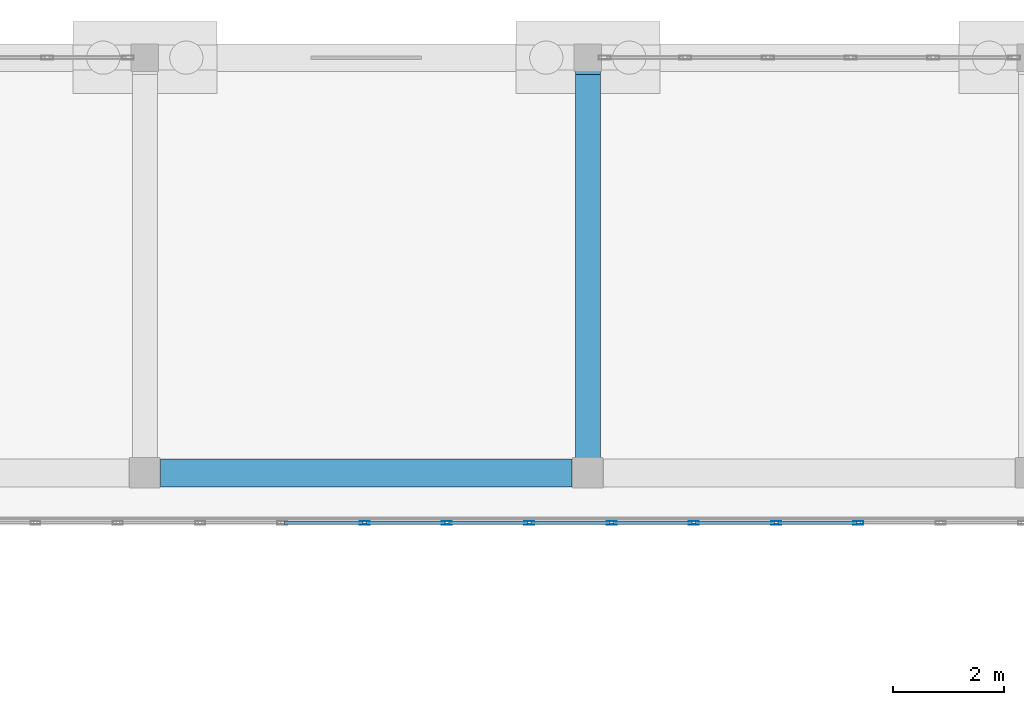
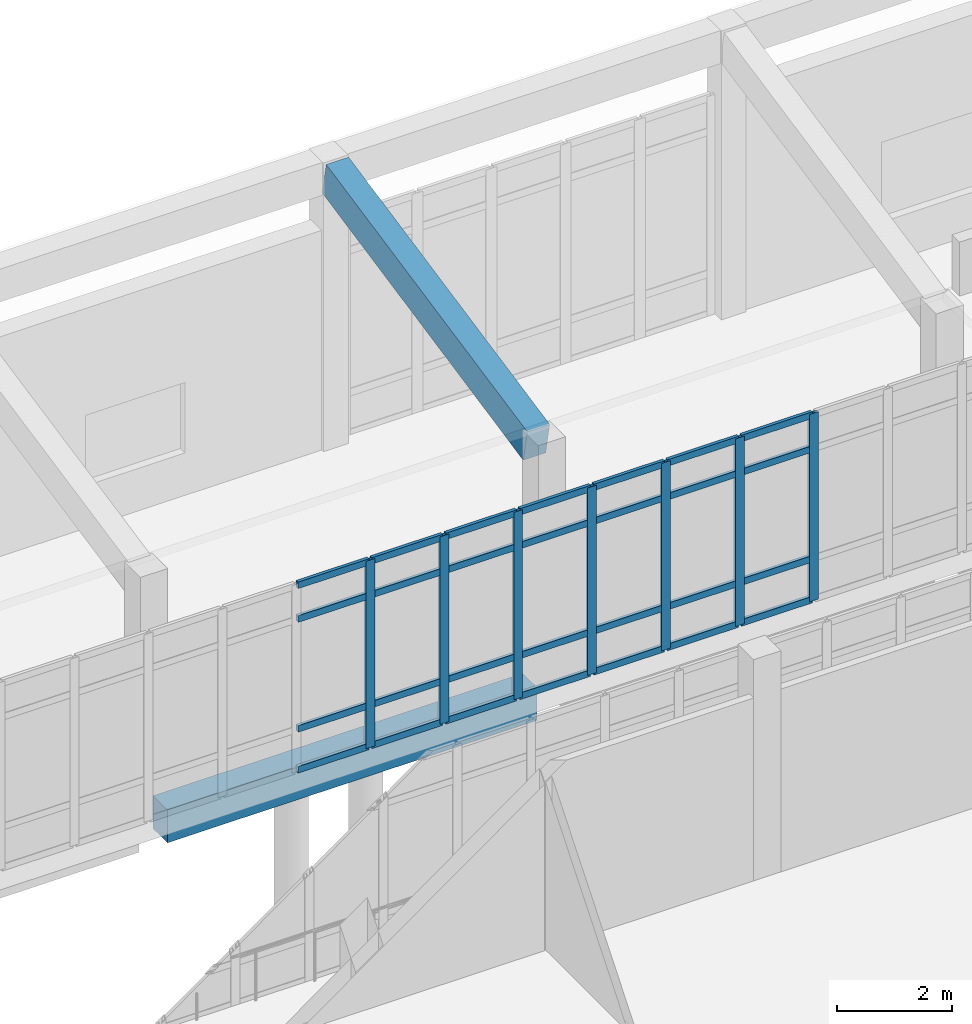
# One storey, part 117 of 173: 35 members, 2 beams, 1 element without a shape of its own.
"""IFC4 building model written with IfcOpenShell, lengths in metres."""

from ifc_helpers import new_model, si_unit, direction, frame, origin, origin_2d, place, context, subcontext, project, spatial, rectangle, hollow_rectangle, extrude, material, layer, layer_set, material_profile, profile_set, type_object, element, aggregate, save


model = new_model("IFC4")

# Units and contexts
model_context = context("Model", 3, precision=1e-05, world=origin(), true_north=direction((0.0, 1.0)))
body_context = subcontext(model_context, "Body", "Model", "MODEL_VIEW")
ifc_project = project(units=[si_unit("LENGTHUNIT", "METRE"), si_unit("AREAUNIT", "SQUARE_METRE"), si_unit("VOLUMEUNIT", "CUBIC_METRE"), si_unit("PLANEANGLEUNIT", "RADIAN"), si_unit("MASSUNIT", "GRAM", prefix="KILO")], contexts=[model_context])

# Site, building, storey
site_placement = place(None, origin())
site = spatial("IfcSite", under=ifc_project, at=site_placement, CompositionType="ELEMENT")
building_placement = place(site_placement, origin())
building = spatial("IfcBuilding", under=site, at=building_placement, Name="Mawjan Specialist Oncology Clinic", CompositionType="ELEMENT")
storey_placement = place(building_placement, origin())
storey = spatial("IfcBuildingStorey", under=building, at=storey_placement, Name="L00", CompositionType="ELEMENT", Elevation=0.0)

# Beam
ifc_material_1 = material(Name="Concrete C40/50", Category="concrete")
ifc_material_profile_1 = material_profile(ifc_material_1, rectangle(XDim=0.449951171875, YDim=0.699951171875, at=origin_2d()), Name="RC BM 450x700", Category="concrete")
ifc_profile_set_1 = profile_set([ifc_material_profile_1], Name="Concrete C40/50")
beam_type_1 = type_object("IfcBeamType", Name="BM-450x700", PredefinedType="BEAM", material=ifc_profile_set_1)
beam_1_placement = place(storey_placement, frame((132.0, 106.06005859375, 4.35009765625), z_axis=(0.0, 0.979626475295, 0.200828207434), x_axis=(-1.0, 0.0, 0.0)))
element("IfcBeam", 1, at=beam_1_placement, inside=storey, type_object=beam_type_1, Name="L00 Roof Framing Beam BM-RF-L00-1274", PredefinedType="BEAM", context=body_context, shape_type="SweptSolid", body=[
    extrude(rectangle(XDim=0.449951171875, YDim=0.699951171875, at=origin_2d()), origin(), (0.0, 0.0, 1.0), 7.150634765625),
])

# Curtain wall, members
ifc_material_2 = material(Name="Unitised spectrally selective aluminium curtain wall", Category="aluminium")
ifc_layer = layer(ifc_material_2, 0.179931640625, Name="Unitised spectrally selective aluminium curtain wall", Category="aluminium")
ifc_layer_set = layer_set([ifc_layer], Name="Unitised spectrally selective aluminium curtain wall")
curtain_wall_type = type_object("IfcCurtainWallType", Name="CW-33", PredefinedType="NOTDEFINED", material=ifc_layer_set)
curtain_wall_placement = place(storey_placement, origin())
curtain_wall = element("IfcCurtainWall", 2, at=curtain_wall_placement, inside=storey, type_object=curtain_wall_type, Name="L00 Unitised Curtain Wall CW-L00-072", PredefinedType="NOTDEFINED")
ifc_material_3 = material(Name="Thermally broken aluminium 6063-T6", Category="aluminium")
ifc_material_profile_2 = material_profile(ifc_material_3, hollow_rectangle(XDim=0.06494140625, YDim=0.179931640625, WallThickness=0.00390625, at=origin_2d()), Name="ALU MULLION 180x65x4", Category="aluminium")
ifc_profile_set_2 = profile_set([ifc_material_profile_2], Name="Thermally broken aluminium 6063-T6")
member_type_1 = type_object("IfcMemberType", Name="CW-M180", PredefinedType="MULLION", material=ifc_profile_set_2)
member_1_placement = place(storey_placement, frame((136.887451171875, 104.89990234375, 0.0), z_axis=(0.0, 0.0, 1.0), x_axis=(0.0, -1.0, 0.0)))
member_1 = element("IfcMember", 3, at=member_1_placement, type_object=member_type_1, Name="CW-33 mullion 8", PredefinedType="MULLION", context=body_context, shape_type="SweptSolid", body=[
    extrude(hollow_rectangle(XDim=0.06494140625, YDim=0.179931640625, WallThickness=0.00390625, at=origin_2d()), origin(), (0.0, 0.0, 1.0), 3.985107421875),
])
member_2_placement = place(storey_placement, frame((135.4013671875, 104.89990234375, 0.0), z_axis=(0.0, 0.0, 1.0), x_axis=(0.0, -1.0, 0.0)))
member_2 = element("IfcMember", 4, at=member_2_placement, type_object=member_type_1, Name="CW-33 mullion 9", PredefinedType="MULLION", context=body_context, shape_type="SweptSolid", body=[
    extrude(hollow_rectangle(XDim=0.06494140625, YDim=0.179931640625, WallThickness=0.00390625, at=origin_2d()), origin(), (0.0, 0.0, 1.0), 3.985107421875),
])
member_3_placement = place(storey_placement, frame((133.915283203125, 104.89990234375, 0.0), z_axis=(0.0, 0.0, 1.0), x_axis=(0.0, -1.0, 0.0)))
member_3 = element("IfcMember", 5, at=member_3_placement, type_object=member_type_1, Name="CW-33 mullion 10", PredefinedType="MULLION", context=body_context, shape_type="SweptSolid", body=[
    extrude(hollow_rectangle(XDim=0.06494140625, YDim=0.179931640625, WallThickness=0.00390625, at=origin_2d()), origin(), (0.0, 0.0, 1.0), 3.985107421875),
])
member_4_placement = place(storey_placement, frame((132.42919921875, 104.89990234375, 0.0), z_axis=(0.0, 0.0, 1.0), x_axis=(0.0, -1.0, 0.0)))
member_4 = element("IfcMember", 6, at=member_4_placement, type_object=member_type_1, Name="CW-33 mullion 11", PredefinedType="MULLION", context=body_context, shape_type="SweptSolid", body=[
    extrude(hollow_rectangle(XDim=0.06494140625, YDim=0.179931640625, WallThickness=0.00390625, at=origin_2d()), origin(), (0.0, 0.0, 1.0), 3.985107421875),
])
member_5_placement = place(storey_placement, frame((130.943115234375, 104.89990234375, 0.0), z_axis=(0.0, 0.0, 1.0), x_axis=(0.0, -1.0, 0.0)))
member_5 = element("IfcMember", 7, at=member_5_placement, type_object=member_type_1, Name="CW-33 mullion 12", PredefinedType="MULLION", context=body_context, shape_type="SweptSolid", body=[
    extrude(hollow_rectangle(XDim=0.06494140625, YDim=0.179931640625, WallThickness=0.00390625, at=origin_2d()), origin(), (0.0, 0.0, 1.0), 3.985107421875),
])
member_6_placement = place(storey_placement, frame((129.45703125, 104.89990234375, 0.0), z_axis=(0.0, 0.0, 1.0), x_axis=(0.0, -1.0, 0.0)))
member_6 = element("IfcMember", 8, at=member_6_placement, type_object=member_type_1, Name="CW-33 mullion 13", PredefinedType="MULLION", context=body_context, shape_type="SweptSolid", body=[
    extrude(hollow_rectangle(XDim=0.06494140625, YDim=0.179931640625, WallThickness=0.00390625, at=origin_2d()), origin(), (0.0, 0.0, 1.0), 3.985107421875),
])
member_7_placement = place(storey_placement, frame((127.970947265625, 104.89990234375, 0.0), z_axis=(0.0, 0.0, 1.0), x_axis=(0.0, -1.0, 0.0)))
member_7 = element("IfcMember", 9, at=member_7_placement, type_object=member_type_1, Name="CW-33 mullion 14", PredefinedType="MULLION", context=body_context, shape_type="SweptSolid", body=[
    extrude(hollow_rectangle(XDim=0.06494140625, YDim=0.179931640625, WallThickness=0.00390625, at=origin_2d()), origin(), (0.0, 0.0, 1.0), 3.985107421875),
])
ifc_material_4 = material(Name="Thermally broken aluminium 6063-T6", Category="aluminium")
ifc_material_profile_3 = material_profile(ifc_material_4, hollow_rectangle(XDim=0.06494140625, YDim=0.139892578125, WallThickness=0.00390625, at=origin_2d()), Name="ALU TRANSOM 140x65x4", Category="aluminium")
ifc_profile_set_3 = profile_set([ifc_material_profile_3], Name="Thermally broken aluminium 6063-T6")
member_type_2 = type_object("IfcMemberType", Name="CW-T140", PredefinedType="USERDEFINED", material=ifc_profile_set_3)
member_8_placement = place(storey_placement, frame((136.85498046875, 104.89990234375, 0.032470703125), z_axis=(-1.0, 0.0, 0.0), x_axis=(0.0, -1.0, 0.0)))
member_8 = element("IfcMember", 10, at=member_8_placement, type_object=member_type_2, Name="CW-33 transom 8.1", ObjectType="TRANSOM", PredefinedType="USERDEFINED", context=body_context, shape_type="SweptSolid", body=[
    extrude(hollow_rectangle(XDim=0.06494140625, YDim=0.139892578125, WallThickness=0.00390625, at=origin_2d()), origin(), (0.0, 0.0, 1.0), 1.421142578125),
])
member_9_placement = place(storey_placement, frame((136.85498046875, 104.89990234375, 0.89990234375), z_axis=(-1.0, 0.0, 0.0), x_axis=(0.0, -1.0, 0.0)))
member_9 = element("IfcMember", 11, at=member_9_placement, type_object=member_type_2, Name="CW-33 transom 8.2", ObjectType="TRANSOM", PredefinedType="USERDEFINED", context=body_context, shape_type="SweptSolid", body=[
    extrude(hollow_rectangle(XDim=0.06494140625, YDim=0.139892578125, WallThickness=0.00390625, at=origin_2d()), origin(), (0.0, 0.0, 1.0), 1.421142578125),
])
member_10_placement = place(storey_placement, frame((136.85498046875, 104.89990234375, 3.235107421875), z_axis=(-1.0, 0.0, 0.0), x_axis=(0.0, -1.0, 0.0)))
member_10 = element("IfcMember", 12, at=member_10_placement, type_object=member_type_2, Name="CW-33 transom 8.3", ObjectType="TRANSOM", PredefinedType="USERDEFINED", context=body_context, shape_type="SweptSolid", body=[
    extrude(hollow_rectangle(XDim=0.06494140625, YDim=0.139892578125, WallThickness=0.00390625, at=origin_2d()), origin(), (0.0, 0.0, 1.0), 1.421142578125),
])
member_11_placement = place(storey_placement, frame((136.85498046875, 104.89990234375, 3.952392578125), z_axis=(-1.0, 0.0, 0.0), x_axis=(0.0, -1.0, 0.0)))
member_11 = element("IfcMember", 13, at=member_11_placement, type_object=member_type_2, Name="CW-33 transom 8.4", ObjectType="TRANSOM", PredefinedType="USERDEFINED", context=body_context, shape_type="SweptSolid", body=[
    extrude(hollow_rectangle(XDim=0.06494140625, YDim=0.139892578125, WallThickness=0.00390625, at=origin_2d()), origin(), (0.0, 0.0, 1.0), 1.421142578125),
])
member_12_placement = place(storey_placement, frame((135.368896484375, 104.89990234375, 0.032470703125), z_axis=(-1.0, 0.0, 0.0), x_axis=(0.0, -1.0, 0.0)))
member_12 = element("IfcMember", 14, at=member_12_placement, type_object=member_type_2, Name="CW-33 transom 9.1", ObjectType="TRANSOM", PredefinedType="USERDEFINED", context=body_context, shape_type="SweptSolid", body=[
    extrude(hollow_rectangle(XDim=0.06494140625, YDim=0.139892578125, WallThickness=0.00390625, at=origin_2d()), origin(), (0.0, 0.0, 1.0), 1.421142578125),
])
member_13_placement = place(storey_placement, frame((135.368896484375, 104.89990234375, 0.89990234375), z_axis=(-1.0, 0.0, 0.0), x_axis=(0.0, -1.0, 0.0)))
member_13 = element("IfcMember", 15, at=member_13_placement, type_object=member_type_2, Name="CW-33 transom 9.2", ObjectType="TRANSOM", PredefinedType="USERDEFINED", context=body_context, shape_type="SweptSolid", body=[
    extrude(hollow_rectangle(XDim=0.06494140625, YDim=0.139892578125, WallThickness=0.00390625, at=origin_2d()), origin(), (0.0, 0.0, 1.0), 1.421142578125),
])
member_14_placement = place(storey_placement, frame((135.368896484375, 104.89990234375, 3.235107421875), z_axis=(-1.0, 0.0, 0.0), x_axis=(0.0, -1.0, 0.0)))
member_14 = element("IfcMember", 16, at=member_14_placement, type_object=member_type_2, Name="CW-33 transom 9.3", ObjectType="TRANSOM", PredefinedType="USERDEFINED", context=body_context, shape_type="SweptSolid", body=[
    extrude(hollow_rectangle(XDim=0.06494140625, YDim=0.139892578125, WallThickness=0.00390625, at=origin_2d()), origin(), (0.0, 0.0, 1.0), 1.421142578125),
])
member_15_placement = place(storey_placement, frame((135.368896484375, 104.89990234375, 3.952392578125), z_axis=(-1.0, 0.0, 0.0), x_axis=(0.0, -1.0, 0.0)))
member_15 = element("IfcMember", 17, at=member_15_placement, type_object=member_type_2, Name="CW-33 transom 9.4", ObjectType="TRANSOM", PredefinedType="USERDEFINED", context=body_context, shape_type="SweptSolid", body=[
    extrude(hollow_rectangle(XDim=0.06494140625, YDim=0.139892578125, WallThickness=0.00390625, at=origin_2d()), origin(), (0.0, 0.0, 1.0), 1.421142578125),
])
member_16_placement = place(storey_placement, frame((133.8828125, 104.89990234375, 0.032470703125), z_axis=(-1.0, 0.0, 0.0), x_axis=(0.0, -1.0, 0.0)))
member_16 = element("IfcMember", 18, at=member_16_placement, type_object=member_type_2, Name="CW-33 transom 10.1", ObjectType="TRANSOM", PredefinedType="USERDEFINED", context=body_context, shape_type="SweptSolid", body=[
    extrude(hollow_rectangle(XDim=0.06494140625, YDim=0.139892578125, WallThickness=0.00390625, at=origin_2d()), origin(), (0.0, 0.0, 1.0), 1.421142578125),
])
member_17_placement = place(storey_placement, frame((133.8828125, 104.89990234375, 0.89990234375), z_axis=(-1.0, 0.0, 0.0), x_axis=(0.0, -1.0, 0.0)))
member_17 = element("IfcMember", 19, at=member_17_placement, type_object=member_type_2, Name="CW-33 transom 10.2", ObjectType="TRANSOM", PredefinedType="USERDEFINED", context=body_context, shape_type="SweptSolid", body=[
    extrude(hollow_rectangle(XDim=0.06494140625, YDim=0.139892578125, WallThickness=0.00390625, at=origin_2d()), origin(), (0.0, 0.0, 1.0), 1.421142578125),
])
member_18_placement = place(storey_placement, frame((133.8828125, 104.89990234375, 3.235107421875), z_axis=(-1.0, 0.0, 0.0), x_axis=(0.0, -1.0, 0.0)))
member_18 = element("IfcMember", 20, at=member_18_placement, type_object=member_type_2, Name="CW-33 transom 10.3", ObjectType="TRANSOM", PredefinedType="USERDEFINED", context=body_context, shape_type="SweptSolid", body=[
    extrude(hollow_rectangle(XDim=0.06494140625, YDim=0.139892578125, WallThickness=0.00390625, at=origin_2d()), origin(), (0.0, 0.0, 1.0), 1.421142578125),
])
member_19_placement = place(storey_placement, frame((133.8828125, 104.89990234375, 3.952392578125), z_axis=(-1.0, 0.0, 0.0), x_axis=(0.0, -1.0, 0.0)))
member_19 = element("IfcMember", 21, at=member_19_placement, type_object=member_type_2, Name="CW-33 transom 10.4", ObjectType="TRANSOM", PredefinedType="USERDEFINED", context=body_context, shape_type="SweptSolid", body=[
    extrude(hollow_rectangle(XDim=0.06494140625, YDim=0.139892578125, WallThickness=0.00390625, at=origin_2d()), origin(), (0.0, 0.0, 1.0), 1.421142578125),
])
member_20_placement = place(storey_placement, frame((132.396728515625, 104.89990234375, 0.032470703125), z_axis=(-1.0, 0.0, 0.0), x_axis=(0.0, -1.0, 0.0)))
member_20 = element("IfcMember", 22, at=member_20_placement, type_object=member_type_2, Name="CW-33 transom 11.1", ObjectType="TRANSOM", PredefinedType="USERDEFINED", context=body_context, shape_type="SweptSolid", body=[
    extrude(hollow_rectangle(XDim=0.06494140625, YDim=0.139892578125, WallThickness=0.00390625, at=origin_2d()), origin(), (0.0, 0.0, 1.0), 1.421142578125),
])
member_21_placement = place(storey_placement, frame((132.396728515625, 104.89990234375, 0.89990234375), z_axis=(-1.0, 0.0, 0.0), x_axis=(0.0, -1.0, 0.0)))
member_21 = element("IfcMember", 23, at=member_21_placement, type_object=member_type_2, Name="CW-33 transom 11.2", ObjectType="TRANSOM", PredefinedType="USERDEFINED", context=body_context, shape_type="SweptSolid", body=[
    extrude(hollow_rectangle(XDim=0.06494140625, YDim=0.139892578125, WallThickness=0.00390625, at=origin_2d()), origin(), (0.0, 0.0, 1.0), 1.421142578125),
])
member_22_placement = place(storey_placement, frame((132.396728515625, 104.89990234375, 3.235107421875), z_axis=(-1.0, 0.0, 0.0), x_axis=(0.0, -1.0, 0.0)))
member_22 = element("IfcMember", 24, at=member_22_placement, type_object=member_type_2, Name="CW-33 transom 11.3", ObjectType="TRANSOM", PredefinedType="USERDEFINED", context=body_context, shape_type="SweptSolid", body=[
    extrude(hollow_rectangle(XDim=0.06494140625, YDim=0.139892578125, WallThickness=0.00390625, at=origin_2d()), origin(), (0.0, 0.0, 1.0), 1.421142578125),
])
member_23_placement = place(storey_placement, frame((132.396728515625, 104.89990234375, 3.952392578125), z_axis=(-1.0, 0.0, 0.0), x_axis=(0.0, -1.0, 0.0)))
member_23 = element("IfcMember", 25, at=member_23_placement, type_object=member_type_2, Name="CW-33 transom 11.4", ObjectType="TRANSOM", PredefinedType="USERDEFINED", context=body_context, shape_type="SweptSolid", body=[
    extrude(hollow_rectangle(XDim=0.06494140625, YDim=0.139892578125, WallThickness=0.00390625, at=origin_2d()), origin(), (0.0, 0.0, 1.0), 1.421142578125),
])
member_24_placement = place(storey_placement, frame((130.91064453125, 104.89990234375, 0.032470703125), z_axis=(-1.0, 0.0, 0.0), x_axis=(0.0, -1.0, 0.0)))
member_24 = element("IfcMember", 26, at=member_24_placement, type_object=member_type_2, Name="CW-33 transom 12.1", ObjectType="TRANSOM", PredefinedType="USERDEFINED", context=body_context, shape_type="SweptSolid", body=[
    extrude(hollow_rectangle(XDim=0.06494140625, YDim=0.139892578125, WallThickness=0.00390625, at=origin_2d()), origin(), (0.0, 0.0, 1.0), 1.421142578125),
])
member_25_placement = place(storey_placement, frame((130.91064453125, 104.89990234375, 0.89990234375), z_axis=(-1.0, 0.0, 0.0), x_axis=(0.0, -1.0, 0.0)))
member_25 = element("IfcMember", 27, at=member_25_placement, type_object=member_type_2, Name="CW-33 transom 12.2", ObjectType="TRANSOM", PredefinedType="USERDEFINED", context=body_context, shape_type="SweptSolid", body=[
    extrude(hollow_rectangle(XDim=0.06494140625, YDim=0.139892578125, WallThickness=0.00390625, at=origin_2d()), origin(), (0.0, 0.0, 1.0), 1.421142578125),
])
member_26_placement = place(storey_placement, frame((130.91064453125, 104.89990234375, 3.235107421875), z_axis=(-1.0, 0.0, 0.0), x_axis=(0.0, -1.0, 0.0)))
member_26 = element("IfcMember", 28, at=member_26_placement, type_object=member_type_2, Name="CW-33 transom 12.3", ObjectType="TRANSOM", PredefinedType="USERDEFINED", context=body_context, shape_type="SweptSolid", body=[
    extrude(hollow_rectangle(XDim=0.06494140625, YDim=0.139892578125, WallThickness=0.00390625, at=origin_2d()), origin(), (0.0, 0.0, 1.0), 1.421142578125),
])
member_27_placement = place(storey_placement, frame((130.91064453125, 104.89990234375, 3.952392578125), z_axis=(-1.0, 0.0, 0.0), x_axis=(0.0, -1.0, 0.0)))
member_27 = element("IfcMember", 29, at=member_27_placement, type_object=member_type_2, Name="CW-33 transom 12.4", ObjectType="TRANSOM", PredefinedType="USERDEFINED", context=body_context, shape_type="SweptSolid", body=[
    extrude(hollow_rectangle(XDim=0.06494140625, YDim=0.139892578125, WallThickness=0.00390625, at=origin_2d()), origin(), (0.0, 0.0, 1.0), 1.421142578125),
])
member_28_placement = place(storey_placement, frame((129.424560546875, 104.89990234375, 0.032470703125), z_axis=(-1.0, 0.0, 0.0), x_axis=(0.0, -1.0, 0.0)))
member_28 = element("IfcMember", 30, at=member_28_placement, type_object=member_type_2, Name="CW-33 transom 13.1", ObjectType="TRANSOM", PredefinedType="USERDEFINED", context=body_context, shape_type="SweptSolid", body=[
    extrude(hollow_rectangle(XDim=0.06494140625, YDim=0.139892578125, WallThickness=0.00390625, at=origin_2d()), origin(), (0.0, 0.0, 1.0), 1.421142578125),
])
member_29_placement = place(storey_placement, frame((129.424560546875, 104.89990234375, 0.89990234375), z_axis=(-1.0, 0.0, 0.0), x_axis=(0.0, -1.0, 0.0)))
member_29 = element("IfcMember", 31, at=member_29_placement, type_object=member_type_2, Name="CW-33 transom 13.2", ObjectType="TRANSOM", PredefinedType="USERDEFINED", context=body_context, shape_type="SweptSolid", body=[
    extrude(hollow_rectangle(XDim=0.06494140625, YDim=0.139892578125, WallThickness=0.00390625, at=origin_2d()), origin(), (0.0, 0.0, 1.0), 1.421142578125),
])
member_30_placement = place(storey_placement, frame((129.424560546875, 104.89990234375, 3.235107421875), z_axis=(-1.0, 0.0, 0.0), x_axis=(0.0, -1.0, 0.0)))
member_30 = element("IfcMember", 32, at=member_30_placement, type_object=member_type_2, Name="CW-33 transom 13.3", ObjectType="TRANSOM", PredefinedType="USERDEFINED", context=body_context, shape_type="SweptSolid", body=[
    extrude(hollow_rectangle(XDim=0.06494140625, YDim=0.139892578125, WallThickness=0.00390625, at=origin_2d()), origin(), (0.0, 0.0, 1.0), 1.421142578125),
])
member_31_placement = place(storey_placement, frame((129.424560546875, 104.89990234375, 3.952392578125), z_axis=(-1.0, 0.0, 0.0), x_axis=(0.0, -1.0, 0.0)))
member_31 = element("IfcMember", 33, at=member_31_placement, type_object=member_type_2, Name="CW-33 transom 13.4", ObjectType="TRANSOM", PredefinedType="USERDEFINED", context=body_context, shape_type="SweptSolid", body=[
    extrude(hollow_rectangle(XDim=0.06494140625, YDim=0.139892578125, WallThickness=0.00390625, at=origin_2d()), origin(), (0.0, 0.0, 1.0), 1.421142578125),
])
member_32_placement = place(storey_placement, frame((127.9384765625, 104.89990234375, 0.032470703125), z_axis=(-1.0, 0.0, 0.0), x_axis=(0.0, -1.0, 0.0)))
member_32 = element("IfcMember", 34, at=member_32_placement, type_object=member_type_2, Name="CW-33 transom 14.1", ObjectType="TRANSOM", PredefinedType="USERDEFINED", context=body_context, shape_type="SweptSolid", body=[
    extrude(hollow_rectangle(XDim=0.06494140625, YDim=0.139892578125, WallThickness=0.00390625, at=origin_2d()), origin(), (0.0, 0.0, 1.0), 1.421142578125),
])
member_33_placement = place(storey_placement, frame((127.9384765625, 104.89990234375, 0.89990234375), z_axis=(-1.0, 0.0, 0.0), x_axis=(0.0, -1.0, 0.0)))
member_33 = element("IfcMember", 35, at=member_33_placement, type_object=member_type_2, Name="CW-33 transom 14.2", ObjectType="TRANSOM", PredefinedType="USERDEFINED", context=body_context, shape_type="SweptSolid", body=[
    extrude(hollow_rectangle(XDim=0.06494140625, YDim=0.139892578125, WallThickness=0.00390625, at=origin_2d()), origin(), (0.0, 0.0, 1.0), 1.421142578125),
])
member_34_placement = place(storey_placement, frame((127.9384765625, 104.89990234375, 3.235107421875), z_axis=(-1.0, 0.0, 0.0), x_axis=(0.0, -1.0, 0.0)))
member_34 = element("IfcMember", 36, at=member_34_placement, type_object=member_type_2, Name="CW-33 transom 14.3", ObjectType="TRANSOM", PredefinedType="USERDEFINED", context=body_context, shape_type="SweptSolid", body=[
    extrude(hollow_rectangle(XDim=0.06494140625, YDim=0.139892578125, WallThickness=0.00390625, at=origin_2d()), origin(), (0.0, 0.0, 1.0), 1.421142578125),
])
member_35_placement = place(storey_placement, frame((127.9384765625, 104.89990234375, 3.952392578125), z_axis=(-1.0, 0.0, 0.0), x_axis=(0.0, -1.0, 0.0)))
member_35 = element("IfcMember", 37, at=member_35_placement, type_object=member_type_2, Name="CW-33 transom 14.4", ObjectType="TRANSOM", PredefinedType="USERDEFINED", context=body_context, shape_type="SweptSolid", body=[
    extrude(hollow_rectangle(XDim=0.06494140625, YDim=0.139892578125, WallThickness=0.00390625, at=origin_2d()), origin(), (0.0, 0.0, 1.0), 1.421142578125),
])
aggregate(curtain_wall, [member_1, member_2, member_3, member_4, member_5, member_6, member_7, member_8, member_9, member_10, member_11, member_12, member_13, member_14, member_15, member_16, member_17, member_18, member_19, member_20, member_21, member_22, member_23, member_24, member_25, member_26, member_27, member_28, member_29, member_30, member_31, member_32, member_33, member_34, member_35])

# Beam
ifc_material_5 = material(Name="Concrete C45/55", Category="concrete")
ifc_material_profile_4 = material_profile(ifc_material_5, rectangle(XDim=0.5, YDim=0.699951171875, at=origin_2d()), Name="RC BM 500x700", Category="concrete")
ifc_profile_set_4 = profile_set([ifc_material_profile_4], Name="Concrete C45/55")
beam_type_2 = type_object("IfcBeamType", Name="SP-500x700", PredefinedType="SPANDREL", material=ifc_profile_set_4)
beam_2_placement = place(storey_placement, frame((124.284912109375, 105.800048828125, -0.800048828125), z_axis=(1.0, 0.0, 0.0), x_axis=(0.0, 1.0, 0.0)))
element("IfcBeam", 38, at=beam_2_placement, inside=storey, type_object=beam_type_2, Name="L00 Spandrel Beam BM-L00-0097", PredefinedType="SPANDREL", context=body_context, shape_type="SweptSolid", body=[
    extrude(rectangle(XDim=0.5, YDim=0.699951171875, at=origin_2d()), origin(), (0.0, 0.0, 1.0), 7.43017578125),
])

save(model, "model.ifc")
